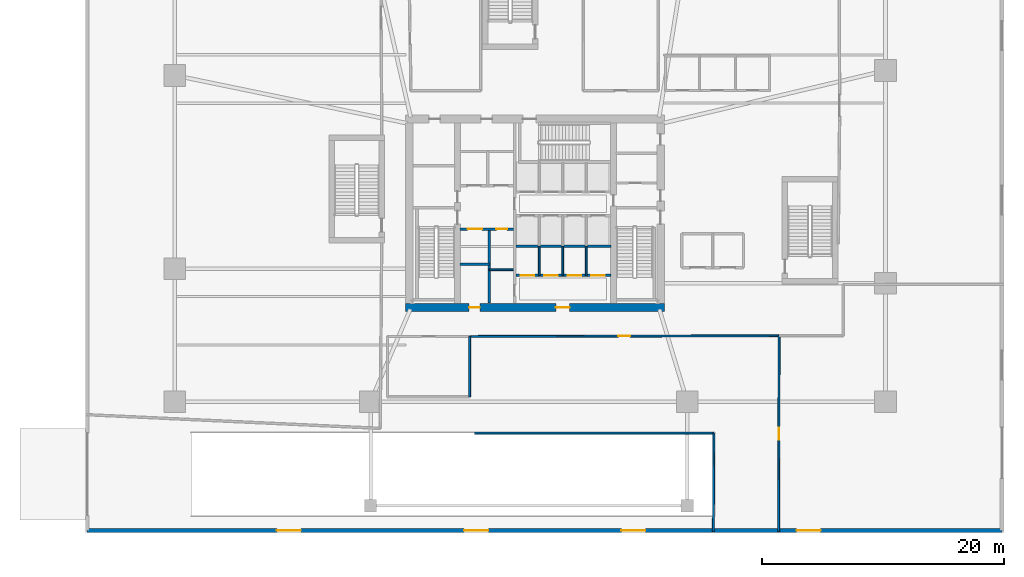
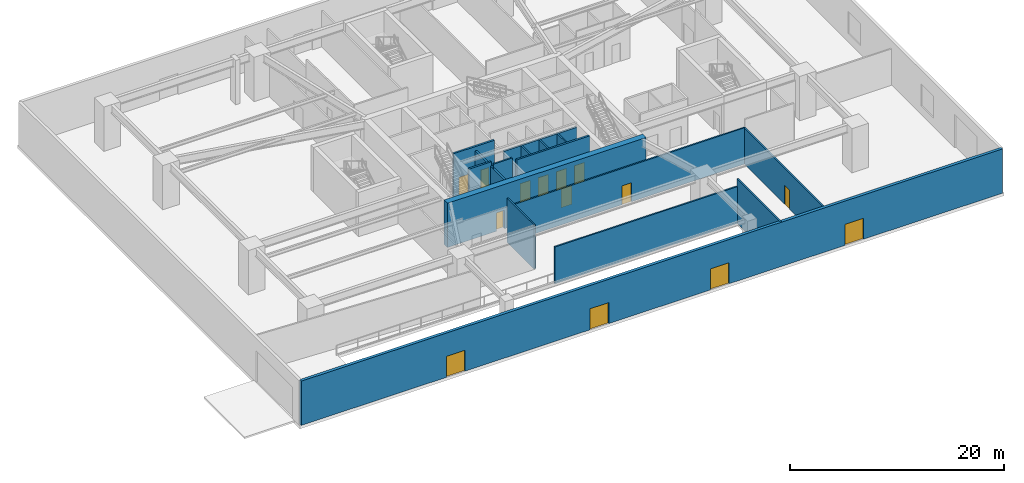
# One storey, part 5 of 13: 16 walls, 14 doors, 14 openings.
"""IFC4 building model written with IfcOpenShell, lengths in metres."""

import ifcopenshell
import ifcopenshell.guid

model = None  # the IFC model being written
_history = None  # IfcOwnerHistory: only IFC2X3 demands one
_inside = {}  # id of a spatial element -> (the spatial element, [elements in it])
_under = {}  # id of a project, library or spatial element -> (it, [spatial elements below it])
_declared = {}  # id of a project -> (the project, [libraries it declares])
_typed = {}  # id of a type object -> (the type object, [elements of that type])
_made_of = {}  # id of a material, layer set ... -> (it, [elements and type objects made of it])


def new_model(schema):
    """Start an empty IFC model of exactly this schema.

    Asked for "IFC4X3", IfcOpenShell would pick the latest addendum, in which some entities
    have other attributes; the version numbers below select the first issue.
    IFC2X3 requires an IfcOwnerHistory on every rooted entity: one is made here for all.
    """
    global model, _history
    if schema == "IFC4X3":
        model = ifcopenshell.file(schema_version=(4, 3, 0, 0))
    else:
        model = ifcopenshell.file(schema=schema)
    _inside.clear()
    _under.clear()
    _declared.clear()
    _typed.clear()
    _made_of.clear()
    _history = None
    if model.schema == "IFC2X3":
        org = make("IfcOrganization", Name="unknown")
        user = make(
            "IfcPersonAndOrganization",
            ThePerson=make("IfcPerson", FamilyName="unknown"),
            TheOrganization=org,
        )
        app = make(
            "IfcApplication",
            ApplicationDeveloper=org,
            Version="unknown",
            ApplicationFullName="unknown",
            ApplicationIdentifier="unknown",
        )
        _history = make(
            "IfcOwnerHistory",
            OwningUser=user,
            OwningApplication=app,
            ChangeAction="ADDED",
            CreationDate=0,
        )
    return model


def make(cls, **values):
    """One entity of the class cls with the attributes given. An attribute that is None is left unset."""
    return model.create_entity(
        cls, **{name: value for name, value in values.items() if value is not None}
    )


def rooted(cls, **values):
    """An entity with a GlobalId (a new one), such as an element, a storey or a relation."""
    return make(cls, GlobalId=ifcopenshell.guid.new(), OwnerHistory=_history, **values)


def si_unit(unit_type, name, prefix=None):
    """IfcSIUnit, for example si_unit("LENGTHUNIT", "METRE", prefix="MILLI")."""
    return make("IfcSIUnit", UnitType=unit_type, Prefix=prefix, Name=name)


def assignment(units):
    """IfcUnitAssignment: the units of a project."""
    return None if units is None else make("IfcUnitAssignment", Units=units)


def point(xyz):
    """IfcCartesianPoint."""
    return None if xyz is None else make("IfcCartesianPoint", Coordinates=xyz)


def direction(xyz):
    """IfcDirection."""
    return None if xyz is None else make("IfcDirection", DirectionRatios=xyz)


def frame(location, z_axis=None, x_axis=None):
    """IfcAxis2Placement3D, a coordinate frame: its origin and axes. An axis left out is left unset."""
    return make(
        "IfcAxis2Placement3D",
        Location=point(location),
        Axis=direction(z_axis),
        RefDirection=direction(x_axis),
    )


def frame_2d(location, x_axis=None):
    """IfcAxis2Placement2D, a coordinate frame in the plane: its origin and x axis."""
    return make(
        "IfcAxis2Placement2D", Location=point(location), RefDirection=direction(x_axis)
    )


def origin():
    """The frame at (0, 0, 0) with its axes left unset."""
    return frame((0.0, 0.0, 0.0))


def place(relative_to, where):
    """IfcLocalPlacement: puts the frame where relative to a parent placement (None: the world)."""
    return make(
        "IfcLocalPlacement", PlacementRelTo=relative_to, RelativePlacement=where
    )


def context(
    kind, dimensions, precision=None, world=None, true_north=None, identifier=None
):
    """IfcGeometricRepresentationContext, for example the 3D "Model" context."""
    return make(
        "IfcGeometricRepresentationContext",
        ContextIdentifier=identifier,
        ContextType=kind,
        CoordinateSpaceDimension=dimensions,
        Precision=precision,
        WorldCoordinateSystem=world,
        TrueNorth=true_north,
    )


def subcontext(parent, identifier, kind, view, scale=None):
    """IfcGeometricRepresentationSubContext, for example "Body" below "Model"."""
    return make(
        "IfcGeometricRepresentationSubContext",
        ContextIdentifier=identifier,
        ContextType=kind,
        ParentContext=parent,
        TargetScale=scale,
        TargetView=view,
    )


def project(units=None, contexts=None):
    """IfcProject with its units and contexts."""
    return rooted(
        "IfcProject",
        Name="project",
        RepresentationContexts=contexts,
        UnitsInContext=assignment(units),
    )


def spatial(cls, under=None, at=None, **own):
    """A site, building, storey or space (cls), placed at a placement, below another one or the project."""
    s = rooted(cls, ObjectPlacement=at, **own)
    if under is not None:
        _under.setdefault(under.id(), (under, []))[1].append(s)
    return s


def profile(cls, at=None, kind="AREA", **sizes):
    """A parametric profile (cls). Its sizes go by their IFC names, for example OverallWidth=200.0."""
    return make(cls, ProfileType=kind, Position=at, **sizes)


def rectangle(**sizes):
    """IfcRectangleProfileDef."""
    return profile("IfcRectangleProfileDef", **sizes)


def extrude(swept, where, along, depth):
    """IfcExtrudedAreaSolid: the profile swept, set in the frame where, extruded along a direction by depth."""
    return make(
        "IfcExtrudedAreaSolid",
        SweptArea=swept,
        Position=where,
        ExtrudedDirection=direction(along),
        Depth=depth,
    )


def shape(context_of_items, identifier, shape_type, items):
    """IfcShapeRepresentation: the items that make up one representation, for example the "Body"."""
    return make(
        "IfcShapeRepresentation",
        ContextOfItems=context_of_items,
        RepresentationIdentifier=identifier,
        RepresentationType=shape_type,
        Items=items,
    )


def material(Name=None, Category=None):
    """IfcMaterial."""
    return make("IfcMaterial", Name=Name, Category=Category)


def layer(
    of_material, thickness, ventilated=None, Name=None, Category=None, Priority=None
):
    """IfcMaterialLayer: one layer of a wall or slab, of a material (None: an air gap)."""
    return make(
        "IfcMaterialLayer",
        Material=of_material,
        LayerThickness=thickness,
        IsVentilated=ventilated,
        Name=Name,
        Category=Category,
        Priority=Priority,
    )


def layer_set(layers, Name=None):
    """IfcMaterialLayerSet."""
    return make("IfcMaterialLayerSet", MaterialLayers=layers, LayerSetName=Name)


def made_of(thing, what):
    """Note that an element or type object is made of a material, layer set ...; save() writes the relation."""
    if what is not None:
        _made_of.setdefault(what.id(), (what, []))[1].append(thing)
    return thing


def type_object(cls, material=None, **own):
    """A type object (cls), such as IfcWallType, which elements share."""
    return made_of(rooted(cls, **own), material)


def element(
    cls,
    number,
    at=None,
    inside=None,
    cuts=None,
    type_object=None,
    material=None,
    context=None,
    identifier="Body",
    shape_type=None,
    held_by="IfcProductDefinitionShape",
    body=None,
    shapes=None,
    **own,
):
    """One element of the class cls, such as IfcWall. Its Tag is "e" and its number.

    at: its placement. inside: the storey or other place that contains it. cuts: it is an
    opening in that element (IfcRelVoidsElement). A single representation is given by context,
    identifier, shape_type and body (its items); several are given by shapes. held_by: the class
    of the entity that holds the representations. save() writes the other relations.
    """
    e = rooted(cls, Tag="e%d" % number, ObjectPlacement=at, **own)
    if body is not None:
        shapes = [shape(context, identifier, shape_type, body)]
    if shapes is not None:
        e.Representation = make(held_by, Representations=shapes)
    if inside is not None:
        _inside.setdefault(inside.id(), (inside, []))[1].append(e)
    if cuts is not None:
        rooted(
            "IfcRelVoidsElement", RelatingBuildingElement=cuts, RelatedOpeningElement=e
        )
    if type_object is not None:
        _typed.setdefault(type_object.id(), (type_object, []))[1].append(e)
    return made_of(e, material)


def fill(opening, filler):
    """IfcRelFillsElement: the door or window that sits in an opening."""
    return rooted(
        "IfcRelFillsElement",
        RelatingOpeningElement=opening,
        RelatedBuildingElement=filler,
    )


def aggregate(whole, parts):
    """IfcRelAggregates: a whole, such as a stair, and the parts it consists of."""
    return rooted("IfcRelAggregates", RelatingObject=whole, RelatedObjects=parts)


def save(model, path):
    """Write the relations noted so far, then the file.

    IfcRelAggregates (storeys below a building ...), IfcRelContainedInSpatialStructure (elements
    in a storey), IfcRelDefinesByType, IfcRelAssociatesMaterial and IfcRelDeclares: one each for
    every whole, place, type object, material and project.
    """
    for whole, parts in _under.values():
        aggregate(whole, parts)
    for where, things in _inside.values():
        rooted(
            "IfcRelContainedInSpatialStructure",
            RelatedElements=things,
            RelatingStructure=where,
        )
    for kind, things in _typed.values():
        rooted("IfcRelDefinesByType", RelatedObjects=things, RelatingType=kind)
    for what, things in _made_of.values():
        rooted("IfcRelAssociatesMaterial", RelatedObjects=things, RelatingMaterial=what)
    for by, libraries in _declared.values():
        rooted("IfcRelDeclares", RelatingContext=by, RelatedDefinitions=libraries)
    model.write(path)


model = new_model("IFC4")

# Units and contexts
model_context = context("Model", 3, precision=1e-05, world=origin(), true_north=direction((0.0, 1.0)))
body_context = subcontext(model_context, "Body", "Model", "MODEL_VIEW")
ifc_project = project(units=[si_unit("LENGTHUNIT", "METRE"), si_unit("AREAUNIT", "SQUARE_METRE"), si_unit("VOLUMEUNIT", "CUBIC_METRE"), si_unit("PLANEANGLEUNIT", "RADIAN"), si_unit("MASSUNIT", "GRAM", prefix="KILO")], contexts=[model_context])

# Site, building, storey
site_placement = place(None, origin())
site = spatial("IfcSite", under=ifc_project, at=site_placement, CompositionType="ELEMENT")
building_placement = place(site_placement, origin())
building = spatial("IfcBuilding", under=site, at=building_placement, Name="Qarnah Convention Tower", CompositionType="ELEMENT")
storey_placement = place(building_placement, origin())
storey = spatial("IfcBuildingStorey", under=building, at=storey_placement, Name="L00", CompositionType="ELEMENT", Elevation=0.0)

# Wall, openings, doors
ifc_material_1 = material(Name="Concrete C60/75", Category="concrete")
ifc_layer_1 = layer(ifc_material_1, 0.64990234375)
ifc_layer_set_1 = layer_set([ifc_layer_1], Name="Concrete C60/75")
wall_type_1 = type_object("IfcWallType", Name="WL-CORE-650", PredefinedType="SHEAR", material=ifc_layer_set_1)
wall_1_placement = place(storey_placement, frame((26.47509765625, 18.60009765625, 0.0), z_axis=(0.0, 0.0, 1.0), x_axis=(1.0, 0.0, 0.0)))
wall_1 = element("IfcWall", 1, at=wall_1_placement, inside=storey, type_object=wall_type_1, Name="L00 core south shear wall", PredefinedType="SHEAR", context=body_context, shape_type="SweptSolid", body=[
    extrude(rectangle(XDim=21.449951171875, YDim=0.64990234375, at=frame_2d((10.72509765625, 0.0))), origin(), (0.0, 0.0, 1.0), 5.050048828125),
])
opening_1_placement = place(wall_1_placement, frame((12.449951171875, 0.0, 0.0)))
opening_1 = element("IfcOpeningElement", 2, at=opening_1_placement, cuts=wall_1, Name="Opening D-0007", PredefinedType="OPENING", context=body_context, shape_type="SweptSolid", body=[
    extrude(rectangle(XDim=1.14990234375, YDim=2.14990234375, at=frame_2d((0.574951171875, 1.074951171875))), frame((0.0, 0.3349609375, 0.0), z_axis=(0.0, -1.0, 0.0), x_axis=(1.0, 0.0, 0.0)), (0.0, 0.0, 1.0), 0.669921875),
])
opening_2_placement = place(wall_1_placement, frame((5.27490234375, 0.0, 0.0)))
opening_2 = element("IfcOpeningElement", 3, at=opening_2_placement, cuts=wall_1, Name="Opening D-0013", PredefinedType="OPENING", context=body_context, shape_type="SweptSolid", body=[
    extrude(rectangle(XDim=0.89990234375, YDim=2.10009765625, at=frame_2d((0.449951171875, 1.050048828125))), frame((0.0, 0.3349609375, 0.0), z_axis=(0.0, -1.0, 0.0), x_axis=(1.0, 0.0, 0.0)), (0.0, 0.0, 1.0), 0.669921875),
])
ifc_material_2 = material(Name="Structural steel S355JR", Category="steel")
door_type_1 = type_object("IfcDoorType", Name="DT-LOBBY-1150", OperationType="NOTDEFINED", PredefinedType="DOOR", material=ifc_material_2)
door_1_placement = place(opening_1_placement, origin())
door_1 = element("IfcDoor", 4, at=door_1_placement, inside=storey, type_object=door_type_1, Name="Door D-0007", OperationType="SINGLE_SWING_RIGHT", OverallHeight=2.14990234375, OverallWidth=1.14990234375, PredefinedType="DOOR", context=body_context, shape_type="SweptSolid", body=[
    extrude(rectangle(XDim=1.14990234375, YDim=2.14990234375, at=frame_2d((0.574951171875, 1.074951171875))), frame((0.0, 0.02490234375, 0.0), z_axis=(0.0, -1.0, 0.0), x_axis=(1.0, 0.0, 0.0)), (0.0, 0.0, 1.0), 0.050048828125),
])
fill(opening_1, door_1)
door_type_2 = type_object("IfcDoorType", Name="DT-RISER-900", OperationType="NOTDEFINED", PredefinedType="DOOR", material=ifc_material_2)
door_2_placement = place(opening_2_placement, origin())
door_2 = element("IfcDoor", 5, at=door_2_placement, inside=storey, type_object=door_type_2, Name="Door D-0013", OperationType="SINGLE_SWING_RIGHT", OverallHeight=2.10009765625, OverallWidth=0.89990234375, PredefinedType="DOOR", context=body_context, shape_type="SweptSolid", body=[
    extrude(rectangle(XDim=0.89990234375, YDim=2.10009765625, at=frame_2d((0.449951171875, 1.050048828125))), frame((0.0, 0.02490234375, 0.0), z_axis=(0.0, -1.0, 0.0), x_axis=(1.0, 0.0, 0.0)), (0.0, 0.0, 1.0), 0.050048828125),
])
fill(opening_2, door_2)

ifc_material_3 = material(Name="Concrete C45/55", Category="concrete")
ifc_layer_2 = layer(ifc_material_3, 0.199951171875)
ifc_layer_set_2 = layer_set([ifc_layer_2], Name="Concrete C45/55")
wall_type_2 = type_object("IfcWallType", Name="WL-CORE-PART-200", PredefinedType="SOLIDWALL", material=ifc_layer_set_2)
wall_2_placement = place(storey_placement, frame((31.0, 25.080078125, 0.0), z_axis=(0.0, 0.0, 1.0), x_axis=(1.0, 0.0, 0.0)))
wall_2 = element("IfcWall", 6, at=wall_2_placement, inside=storey, type_object=wall_type_2, Name="L00 interior wall IW-L00-FFLBS", PredefinedType="SOLIDWALL", context=body_context, shape_type="SweptSolid", body=[
    extrude(rectangle(XDim=4.419921875, YDim=0.199951171875, at=frame_2d((2.2099609375, 0.0))), origin(), (0.0, 0.0, 1.0), 5.050048828125),
])
opening_3_placement = place(wall_2_placement, frame((3.0, 0.0, 0.0)))
opening_3 = element("IfcOpeningElement", 7, at=opening_3_placement, cuts=wall_2, Name="Opening D-0015", PredefinedType="OPENING", context=body_context, shape_type="SweptSolid", body=[
    extrude(rectangle(XDim=0.89990234375, YDim=2.10009765625, at=frame_2d((0.449951171875, 1.050048828125))), frame((0.0, 0.10986328125, 0.0), z_axis=(0.0, -1.0, 0.0), x_axis=(1.0, 0.0, 0.0)), (0.0, 0.0, 1.0), 0.219970703125),
])
opening_4_placement = place(wall_2_placement, frame((0.6201171875, 0.0, 0.0)))
opening_4 = element("IfcOpeningElement", 8, at=opening_4_placement, cuts=wall_2, Name="Opening LD-0003", PredefinedType="OPENING", context=body_context, shape_type="SweptSolid", body=[
    extrude(rectangle(XDim=1.199951171875, YDim=2.14990234375, at=frame_2d((0.60009765625, 1.074951171875))), frame((0.0, 0.10986328125, 0.0), z_axis=(0.0, -1.0, 0.0), x_axis=(1.0, 0.0, 0.0)), (0.0, 0.0, 1.0), 0.219970703125),
])
door_type_3 = type_object("IfcDoorType", Name="DT-LIFT-1200", OperationType="SLIDING_TO_LEFT", PredefinedType="DOOR", material=ifc_material_2)
door_3_placement = place(opening_4_placement, origin())
door_3 = element("IfcDoor", 9, at=door_3_placement, inside=storey, type_object=door_type_3, Name="Door LD-0003", OperationType="SLIDING_TO_LEFT", OverallHeight=2.14990234375, OverallWidth=1.199951171875, PredefinedType="DOOR", context=body_context, shape_type="SweptSolid", body=[
    extrude(rectangle(XDim=1.199951171875, YDim=2.14990234375, at=frame_2d((0.60009765625, 1.074951171875))), frame((0.0, 0.02490234375, 0.0), z_axis=(0.0, -1.0, 0.0), x_axis=(1.0, 0.0, 0.0)), (0.0, 0.0, 1.0), 0.050048828125),
])
fill(opening_4, door_3)
door_4_placement = place(opening_3_placement, origin())
door_4 = element("IfcDoor", 10, at=door_4_placement, inside=storey, type_object=door_type_2, Name="Door D-0015", OperationType="SINGLE_SWING_RIGHT", OverallHeight=2.10009765625, OverallWidth=0.89990234375, PredefinedType="DOOR", context=body_context, shape_type="SweptSolid", body=[
    extrude(rectangle(XDim=0.89990234375, YDim=2.10009765625, at=frame_2d((0.449951171875, 1.050048828125))), frame((0.0, 0.02490234375, 0.0), z_axis=(0.0, -1.0, 0.0), x_axis=(1.0, 0.0, 0.0)), (0.0, 0.0, 1.0), 0.050048828125),
])
fill(opening_3, door_4)

# Walls
wall_3_placement = place(storey_placement, frame((33.419921875, 18.949951171875, 0.0), z_axis=(0.0, 0.0, 1.0), x_axis=(0.0, 1.0, 0.0)))
element("IfcWall", 11, at=wall_3_placement, inside=storey, type_object=wall_type_2, Name="L00 interior wall IW-L00-SVLE", PredefinedType="SOLIDWALL", context=body_context, shape_type="SweptSolid", body=[
    extrude(rectangle(XDim=6.130126953125, YDim=0.199951171875, at=frame_2d((3.06494140625, 0.0))), origin(), (0.0, 0.0, 1.0), 4.571044921875),
])
wall_4_placement = place(storey_placement, frame((31.0, 22.179931640625, 0.0), z_axis=(0.0, 0.0, 1.0), x_axis=(1.0, 0.0, 0.0)))
element("IfcWall", 12, at=wall_4_placement, inside=storey, type_object=wall_type_2, Name="L00 interior wall IW-L00-SVLS", PredefinedType="SOLIDWALL", context=body_context, shape_type="SweptSolid", body=[
    extrude(rectangle(XDim=2.419921875, YDim=0.199951171875, at=frame_2d((1.2099609375, 0.0))), origin(), (0.0, 0.0, 1.0), 5.050048828125),
])
wall_5_placement = place(storey_placement, frame((35.6201171875, 23.64990234375, 0.0), z_axis=(0.0, 0.0, 1.0), x_axis=(1.0, 0.0, 0.0)))
element("IfcWall", 13, at=wall_5_placement, inside=storey, type_object=wall_type_2, Name="L00 interior wall IW-L00-PMPL", PredefinedType="SOLIDWALL", context=body_context, shape_type="SweptSolid", body=[
    extrude(rectangle(XDim=7.8798828125, YDim=0.199951171875, at=frame_2d((3.93994140625, 0.0))), origin(), (0.0, 0.0, 1.0), 4.571044921875),
])

# Wall, openings, doors
wall_6_placement = place(storey_placement, frame((35.6201171875, 21.25, 0.0), z_axis=(0.0, 0.0, 1.0), x_axis=(1.0, 0.0, 0.0)))
wall_6 = element("IfcWall", 14, at=wall_6_placement, inside=storey, type_object=wall_type_2, Name="L00 interior wall IW-L00-PLS", PredefinedType="SOLIDWALL", context=body_context, shape_type="SweptSolid", body=[
    extrude(rectangle(XDim=7.8798828125, YDim=0.199951171875, at=frame_2d((3.93994140625, 0.0))), origin(), (0.0, 0.0, 1.0), 5.050048828125),
])
opening_5_placement = place(wall_6_placement, frame((0.405029296875, 0.0, 0.0)))
opening_5 = element("IfcOpeningElement", 15, at=opening_5_placement, cuts=wall_6, Name="Opening LD-0004", PredefinedType="OPENING", context=body_context, shape_type="SweptSolid", body=[
    extrude(rectangle(XDim=1.10009765625, YDim=2.14990234375, at=frame_2d((0.550048828125, 1.074951171875))), frame((0.0, 0.10986328125, 0.0), z_axis=(0.0, -1.0, 0.0), x_axis=(1.0, 0.0, 0.0)), (0.0, 0.0, 1.0), 0.219970703125),
])
opening_6_placement = place(wall_6_placement, frame((2.35498046875, 0.0, 0.0)))
opening_6 = element("IfcOpeningElement", 16, at=opening_6_placement, cuts=wall_6, Name="Opening LD-0007", PredefinedType="OPENING", context=body_context, shape_type="SweptSolid", body=[
    extrude(rectangle(XDim=1.10009765625, YDim=2.14990234375, at=frame_2d((0.550048828125, 1.074951171875))), frame((0.0, 0.10986328125, 0.0), z_axis=(0.0, -1.0, 0.0), x_axis=(1.0, 0.0, 0.0)), (0.0, 0.0, 1.0), 0.219970703125),
])
opening_7_placement = place(wall_6_placement, frame((4.304931640625, 0.0, 0.0)))
opening_7 = element("IfcOpeningElement", 17, at=opening_7_placement, cuts=wall_6, Name="Opening LD-0010", PredefinedType="OPENING", context=body_context, shape_type="SweptSolid", body=[
    extrude(rectangle(XDim=1.10009765625, YDim=2.14990234375, at=frame_2d((0.550048828125, 1.074951171875))), frame((0.0, 0.10986328125, 0.0), z_axis=(0.0, -1.0, 0.0), x_axis=(1.0, 0.0, 0.0)), (0.0, 0.0, 1.0), 0.219970703125),
])
opening_8_placement = place(wall_6_placement, frame((6.2548828125, 0.0, 0.0)))
opening_8 = element("IfcOpeningElement", 18, at=opening_8_placement, cuts=wall_6, Name="Opening LD-0013", PredefinedType="OPENING", context=body_context, shape_type="SweptSolid", body=[
    extrude(rectangle(XDim=1.10009765625, YDim=2.14990234375, at=frame_2d((0.550048828125, 1.074951171875))), frame((0.0, 0.10986328125, 0.0), z_axis=(0.0, -1.0, 0.0), x_axis=(1.0, 0.0, 0.0)), (0.0, 0.0, 1.0), 0.219970703125),
])
door_type_4 = type_object("IfcDoorType", Name="DT-LIFT-1100", OperationType="SLIDING_TO_LEFT", PredefinedType="DOOR", material=ifc_material_2)
door_5_placement = place(opening_5_placement, origin())
door_5 = element("IfcDoor", 19, at=door_5_placement, inside=storey, type_object=door_type_4, Name="Door LD-0004", OperationType="SLIDING_TO_LEFT", OverallHeight=2.14990234375, OverallWidth=1.10009765625, PredefinedType="DOOR", context=body_context, shape_type="SweptSolid", body=[
    extrude(rectangle(XDim=1.10009765625, YDim=2.14990234375, at=frame_2d((0.550048828125, 1.074951171875))), frame((0.0, 0.02490234375, 0.0), z_axis=(0.0, -1.0, 0.0), x_axis=(1.0, 0.0, 0.0)), (0.0, 0.0, 1.0), 0.050048828125),
])
fill(opening_5, door_5)
door_6_placement = place(opening_6_placement, origin())
door_6 = element("IfcDoor", 20, at=door_6_placement, inside=storey, type_object=door_type_4, Name="Door LD-0007", OperationType="SLIDING_TO_LEFT", OverallHeight=2.14990234375, OverallWidth=1.10009765625, PredefinedType="DOOR", context=body_context, shape_type="SweptSolid", body=[
    extrude(rectangle(XDim=1.10009765625, YDim=2.14990234375, at=frame_2d((0.550048828125, 1.074951171875))), frame((0.0, 0.02490234375, 0.0), z_axis=(0.0, -1.0, 0.0), x_axis=(1.0, 0.0, 0.0)), (0.0, 0.0, 1.0), 0.050048828125),
])
fill(opening_6, door_6)
door_7_placement = place(opening_7_placement, origin())
door_7 = element("IfcDoor", 21, at=door_7_placement, inside=storey, type_object=door_type_4, Name="Door LD-0010", OperationType="SLIDING_TO_LEFT", OverallHeight=2.14990234375, OverallWidth=1.10009765625, PredefinedType="DOOR", context=body_context, shape_type="SweptSolid", body=[
    extrude(rectangle(XDim=1.10009765625, YDim=2.14990234375, at=frame_2d((0.550048828125, 1.074951171875))), frame((0.0, 0.02490234375, 0.0), z_axis=(0.0, -1.0, 0.0), x_axis=(1.0, 0.0, 0.0)), (0.0, 0.0, 1.0), 0.050048828125),
])
fill(opening_7, door_7)
door_8_placement = place(opening_8_placement, origin())
door_8 = element("IfcDoor", 22, at=door_8_placement, inside=storey, type_object=door_type_4, Name="Door LD-0013", OperationType="SLIDING_TO_LEFT", OverallHeight=2.14990234375, OverallWidth=1.10009765625, PredefinedType="DOOR", context=body_context, shape_type="SweptSolid", body=[
    extrude(rectangle(XDim=1.10009765625, YDim=2.14990234375, at=frame_2d((0.550048828125, 1.074951171875))), frame((0.0, 0.02490234375, 0.0), z_axis=(0.0, -1.0, 0.0), x_axis=(1.0, 0.0, 0.0)), (0.0, 0.0, 1.0), 0.050048828125),
])
fill(opening_8, door_8)

# Walls
ifc_material_4 = material(Name="Gypsum partition board")
ifc_layer_3 = layer(ifc_material_4, 0.159912109375)
ifc_layer_set_3 = layer_set([ifc_layer_3], Name="Gypsum partition board")
wall_type_3 = type_object("IfcWallType", Name="WL-CORR-160", PredefinedType="PARTITIONING", material=ifc_layer_set_3)
wall_7_placement = place(storey_placement, frame((31.800048828125, 11.199951171875, 0.0), z_axis=(0.0, 0.0, 1.0), x_axis=(0.0, 1.0, 0.0)))
element("IfcWall", 23, at=wall_7_placement, inside=storey, type_object=wall_type_3, Name="L00 interior wall IW-L00-R-11", PredefinedType="PARTITIONING", context=body_context, shape_type="SweptSolid", body=[
    extrude(rectangle(XDim=5.0, YDim=0.159912109375, at=frame_2d((2.5, 0.0))), origin(), (0.0, 0.0, 1.0), 5.050048828125),
])
wall_8_placement = place(storey_placement, frame((32.199951171875, 8.199951171875, 0.0), z_axis=(0.0, 0.0, 1.0), x_axis=(1.0, 0.0, 0.0)))
element("IfcWall", 24, at=wall_8_placement, inside=storey, type_object=wall_type_3, Name="L00 interior wall IW-L00-R-18", PredefinedType="PARTITIONING", context=body_context, shape_type="SweptSolid", body=[
    extrude(rectangle(XDim=19.800048828125, YDim=0.159912109375, at=frame_2d((9.89990234375, 0.0))), origin(), (0.0, 0.0, 1.0), 4.202880859375),
])
wall_9_placement = place(storey_placement, frame((52.0, 8.199951171875, 0.0), z_axis=(0.0, 0.0, 1.0), x_axis=(-0.004804749344, -0.999988457125, 0.0)))
element("IfcWall", 25, at=wall_9_placement, inside=storey, type_object=wall_type_3, Name="L00 interior wall IW-L00-R-19", PredefinedType="PARTITIONING", context=body_context, shape_type="SweptSolid", body=[
    extrude(rectangle(XDim=8.1298828125, YDim=0.159912109375, at=frame_2d((4.06494140625, 0.0))), origin(), (0.0, 0.0, 1.0), 5.050048828125),
])

# Wall, opening, door
wall_10_placement = place(storey_placement, frame((57.35107421875, 0.06396484375, 0.0), z_axis=(0.0, 0.0, 1.0), x_axis=(0.003014804129, 0.999995455468, 0.0)))
wall_10 = element("IfcWall", 26, at=wall_10_placement, inside=storey, type_object=wall_type_3, Name="L00 interior wall IW-L00-R-20", PredefinedType="PARTITIONING", context=body_context, shape_type="SweptSolid", body=[
    extrude(rectangle(XDim=16.196044921875, YDim=0.159912109375, at=frame_2d((8.09814453125, 0.0))), origin(), (0.0, 0.0, 1.0), 4.123046875),
])
opening_9_placement = place(wall_10_placement, frame((7.597900390625, 0.0, 0.0)))
opening_9 = element("IfcOpeningElement", 27, at=opening_9_placement, cuts=wall_10, Name="Opening D-0025", PredefinedType="OPENING", context=body_context, shape_type="SweptSolid", body=[
    extrude(rectangle(XDim=1.0, YDim=2.14990234375, at=frame_2d((0.5, 1.074951171875))), frame((0.0, 0.08984375, 0.0), z_axis=(0.0, -1.0, 0.0), x_axis=(1.0, 0.0, 0.0)), (0.0, 0.0, 1.0), 0.179931640625),
])
ifc_material_5 = material(Name="Oak timber veneer", Category="wood")
door_type_5 = type_object("IfcDoorType", Name="DT-OFFICE-1000", OperationType="NOTDEFINED", PredefinedType="DOOR", material=ifc_material_5)
door_9_placement = place(opening_9_placement, origin())
door_9 = element("IfcDoor", 28, at=door_9_placement, inside=storey, type_object=door_type_5, Name="Door D-0025", OperationType="SINGLE_SWING_LEFT", OverallHeight=2.14990234375, OverallWidth=1.0, PredefinedType="DOOR", context=body_context, shape_type="SweptSolid", body=[
    extrude(rectangle(XDim=1.0, YDim=2.14990234375, at=frame_2d((0.5, 1.074951171875))), frame((0.0, 0.02490234375, 0.0), z_axis=(0.0, -1.0, 0.0), x_axis=(1.0, 0.0, 0.0)), (0.0, 0.0, 1.0), 0.050048828125),
])
fill(opening_9, door_9)

wall_11_placement = place(storey_placement, frame((57.39990234375, 16.260009765625, 0.0), z_axis=(0.0, 0.0, 1.0), x_axis=(-0.999997248031, -0.002346045786, 0.0)))
wall_11 = element("IfcWall", 29, at=wall_11_placement, inside=storey, type_object=wall_type_3, Name="L00 interior wall IW-L00-R-21", PredefinedType="PARTITIONING", context=body_context, shape_type="SweptSolid", body=[
    extrude(rectangle(XDim=25.599853515625, YDim=0.159912109375, at=frame_2d((12.7998046875, 0.0))), origin(), (0.0, 0.0, 1.0), 4.135009765625),
])
opening_10_placement = place(wall_11_placement, frame((12.300048828125, 0.0, 0.0)))
opening_10 = element("IfcOpeningElement", 30, at=opening_10_placement, cuts=wall_11, Name="Opening D-0024", PredefinedType="OPENING", context=body_context, shape_type="SweptSolid", body=[
    extrude(rectangle(XDim=1.0, YDim=2.14990234375, at=frame_2d((0.5, 1.074951171875))), frame((0.0, 0.08984375, 0.0), z_axis=(0.0, -1.0, 0.0), x_axis=(1.0, 0.0, 0.0)), (0.0, 0.0, 1.0), 0.179931640625),
])
door_10_placement = place(opening_10_placement, origin())
door_10 = element("IfcDoor", 31, at=door_10_placement, inside=storey, type_object=door_type_5, Name="Door D-0024", OperationType="SINGLE_SWING_RIGHT", OverallHeight=2.14990234375, OverallWidth=1.0, PredefinedType="DOOR", context=body_context, shape_type="SweptSolid", body=[
    extrude(rectangle(XDim=1.0, YDim=2.14990234375, at=frame_2d((0.5, 1.074951171875))), frame((0.0, 0.02490234375, 0.0), z_axis=(0.0, -1.0, 0.0), x_axis=(1.0, 0.0, 0.0)), (0.0, 0.0, 1.0), 0.050048828125),
])
fill(opening_10, door_10)

# Wall, openings, doors
ifc_material_6 = material(Name="Precast concrete C45/55", Category="concrete")
ifc_layer_4 = layer(ifc_material_6, 0.320068359375)
ifc_layer_set_4 = layer_set([ifc_layer_4], Name="Precast concrete C45/55")
wall_type_4 = type_object("IfcWallType", Name="WL-EXT-POD-320", PredefinedType="SOLIDWALL", material=ifc_layer_set_4)
wall_12_placement = place(storey_placement, frame((75.840087890625, 0.159912109375, 0.0), z_axis=(0.0, 0.0, 1.0), x_axis=(-1.0, 0.0, 0.0)))
wall_12 = element("IfcWall", 32, at=wall_12_placement, inside=storey, type_object=wall_type_4, Name="L00 precast facade wall S", PredefinedType="SOLIDWALL", context=body_context, shape_type="SweptSolid", body=[
    extrude(rectangle(XDim=75.68017578125, YDim=0.320068359375, at=frame_2d((37.840087890625, 0.0))), origin(), (0.0, 0.0, 1.0), 5.050048828125),
])
opening_11_placement = place(wall_12_placement, frame((15.0, 0.0, 0.0)))
opening_11 = element("IfcOpeningElement", 33, at=opening_11_placement, cuts=wall_12, Name="Opening ED-0001", PredefinedType="OPENING", context=body_context, shape_type="SweptSolid", body=[
    extrude(rectangle(XDim=2.0, YDim=2.39990234375, at=frame_2d((1.0, 1.199951171875))), frame((0.0, 0.169921875, 0.0), z_axis=(0.0, -1.0, 0.0), x_axis=(1.0, 0.0, 0.0)), (0.0, 0.0, 1.0), 0.340087890625),
])
opening_12_placement = place(wall_12_placement, frame((29.5, 0.0, 0.0)))
opening_12 = element("IfcOpeningElement", 34, at=opening_12_placement, cuts=wall_12, Name="Opening ED-0002", PredefinedType="OPENING", context=body_context, shape_type="SweptSolid", body=[
    extrude(rectangle(XDim=2.0, YDim=2.39990234375, at=frame_2d((1.0, 1.199951171875))), frame((0.0, 0.169921875, 0.0), z_axis=(0.0, -1.0, 0.0), x_axis=(1.0, 0.0, 0.0)), (0.0, 0.0, 1.0), 0.340087890625),
])
opening_13_placement = place(wall_12_placement, frame((42.5, 0.0, 0.0)))
opening_13 = element("IfcOpeningElement", 35, at=opening_13_placement, cuts=wall_12, Name="Opening ED-0003", PredefinedType="OPENING", context=body_context, shape_type="SweptSolid", body=[
    extrude(rectangle(XDim=2.0, YDim=2.39990234375, at=frame_2d((1.0, 1.199951171875))), frame((0.0, 0.169921875, 0.0), z_axis=(0.0, -1.0, 0.0), x_axis=(1.0, 0.0, 0.0)), (0.0, 0.0, 1.0), 0.340087890625),
])
opening_14_placement = place(wall_12_placement, frame((58.0, 0.0, 0.0)))
opening_14 = element("IfcOpeningElement", 36, at=opening_14_placement, cuts=wall_12, Name="Opening ED-0004", PredefinedType="OPENING", context=body_context, shape_type="SweptSolid", body=[
    extrude(rectangle(XDim=2.0, YDim=2.39990234375, at=frame_2d((1.0, 1.199951171875))), frame((0.0, 0.169921875, 0.0), z_axis=(0.0, -1.0, 0.0), x_axis=(1.0, 0.0, 0.0)), (0.0, 0.0, 1.0), 0.340087890625),
])
ifc_material_7 = material(Name="Black anodised aluminium", Category="aluminium")
door_type_6 = type_object("IfcDoorType", Name="DT-EXT-DBL-2000", OperationType="DOUBLE_DOOR_SINGLE_SWING", PredefinedType="DOOR", material=ifc_material_7)
door_11_placement = place(opening_11_placement, origin())
door_11 = element("IfcDoor", 37, at=door_11_placement, inside=storey, type_object=door_type_6, Name="Boulevard main exit door ED-0001", OperationType="DOUBLE_DOOR_SINGLE_SWING", OverallHeight=2.39990234375, OverallWidth=2.0, PredefinedType="DOOR", context=body_context, shape_type="SweptSolid", body=[
    extrude(rectangle(XDim=2.0, YDim=2.39990234375, at=frame_2d((1.0, 1.199951171875))), frame((0.0, 0.02490234375, 0.0), z_axis=(0.0, -1.0, 0.0), x_axis=(1.0, 0.0, 0.0)), (0.0, 0.0, 1.0), 0.050048828125),
])
fill(opening_11, door_11)
door_12_placement = place(opening_12_placement, origin())
door_12 = element("IfcDoor", 38, at=door_12_placement, inside=storey, type_object=door_type_6, Name="Boulevard main exit door ED-0002", OperationType="DOUBLE_DOOR_SINGLE_SWING", OverallHeight=2.39990234375, OverallWidth=2.0, PredefinedType="DOOR", context=body_context, shape_type="SweptSolid", body=[
    extrude(rectangle(XDim=2.0, YDim=2.39990234375, at=frame_2d((1.0, 1.199951171875))), frame((0.0, 0.02490234375, 0.0), z_axis=(0.0, -1.0, 0.0), x_axis=(1.0, 0.0, 0.0)), (0.0, 0.0, 1.0), 0.050048828125),
])
fill(opening_12, door_12)
door_13_placement = place(opening_13_placement, origin())
door_13 = element("IfcDoor", 39, at=door_13_placement, inside=storey, type_object=door_type_6, Name="Boulevard main exit door ED-0003", OperationType="DOUBLE_DOOR_SINGLE_SWING", OverallHeight=2.39990234375, OverallWidth=2.0, PredefinedType="DOOR", context=body_context, shape_type="SweptSolid", body=[
    extrude(rectangle(XDim=2.0, YDim=2.39990234375, at=frame_2d((1.0, 1.199951171875))), frame((0.0, 0.02490234375, 0.0), z_axis=(0.0, -1.0, 0.0), x_axis=(1.0, 0.0, 0.0)), (0.0, 0.0, 1.0), 0.050048828125),
])
fill(opening_13, door_13)
door_14_placement = place(opening_14_placement, origin())
door_14 = element("IfcDoor", 40, at=door_14_placement, inside=storey, type_object=door_type_6, Name="Boulevard main exit door ED-0004", OperationType="DOUBLE_DOOR_SINGLE_SWING", OverallHeight=2.39990234375, OverallWidth=2.0, PredefinedType="DOOR", context=body_context, shape_type="SweptSolid", body=[
    extrude(rectangle(XDim=2.0, YDim=2.39990234375, at=frame_2d((1.0, 1.199951171875))), frame((0.0, 0.02490234375, 0.0), z_axis=(0.0, -1.0, 0.0), x_axis=(1.0, 0.0, 0.0)), (0.0, 0.0, 1.0), 0.050048828125),
])
fill(opening_14, door_14)

# Walls
ifc_layer_5 = layer(ifc_material_4, 0.14990234375)
ifc_layer_set_5 = layer_set([ifc_layer_5], Name="Gypsum partition board")
wall_type_5 = type_object("IfcWallType", Name="WL-SUITE-150", PredefinedType="PARTITIONING", material=ifc_layer_set_5)
wall_13_placement = place(storey_placement, frame((33.419921875, 21.719970703125, 0.0), z_axis=(0.0, 0.0, 1.0), x_axis=(1.0, 0.0, 0.0)))
element("IfcWall", 41, at=wall_13_placement, inside=storey, type_object=wall_type_5, Name="L00 interior wall IW-L00-CSV1", PredefinedType="PARTITIONING", context=body_context, shape_type="SweptSolid", body=[
    extrude(rectangle(XDim=2.0, YDim=0.14990234375, at=frame_2d((1.0, 0.0))), origin(), (0.0, 0.0, 1.0), 5.050048828125),
])
for number, where, z_axis, x_axis, name in (
    (42, (37.550048828125, 21.25, 0.0), (0.0, 0.0, 1.0), (0.0, 1.0, 0.0), "L00 interior wall IW-L00-PLD1"),
    (43, (39.5, 21.25, 0.0), (0.0, 0.0, 1.0), (0.0, 1.0, 0.0), "L00 interior wall IW-L00-PLD2"),
    (44, (41.449951171875, 21.25, 0.0), (0.0, 0.0, 1.0), (0.0, 1.0, 0.0), "L00 interior wall IW-L00-PLD3"),
):
    element("IfcWall", number, at=place(storey_placement, frame(where, z_axis=z_axis, x_axis=x_axis)), inside=storey, type_object=wall_type_5, Name=name, PredefinedType="PARTITIONING", context=body_context, shape_type="SweptSolid", body=[
        extrude(rectangle(XDim=2.39990234375, YDim=0.14990234375, at=frame_2d((1.199951171875, 0.0))), origin(), (0.0, 0.0, 1.0), 4.571044921875),
    ])

save(model, "model.ifc")
